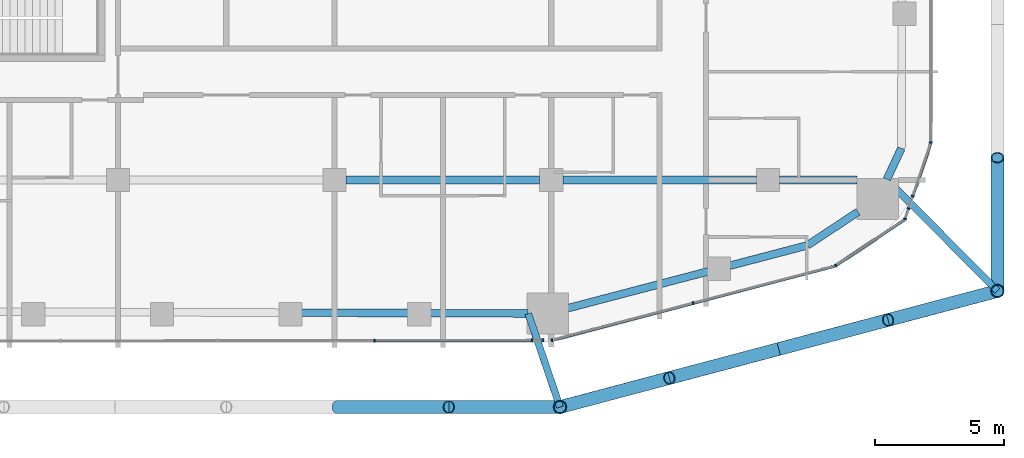
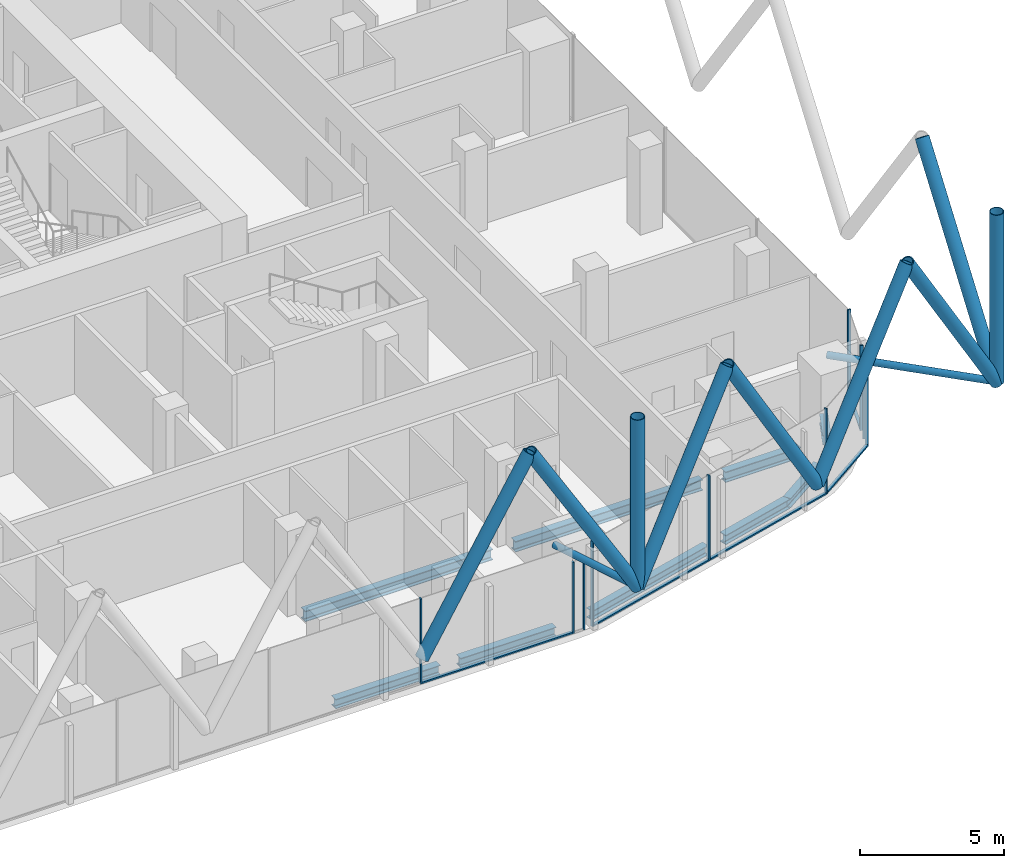
# One storey, part 6 of 33: 26 members, 9 beams, 8 elements without a shape of their own.
"""IFC4 building model written with IfcOpenShell, lengths in metres."""

from ifc_helpers import new_model, si_unit, direction, frame, origin, origin_2d, place, context, subcontext, project, spatial, rectangle, hollow_circle, i_section, extrude, material, layer, layer_set, material_profile, profile_set, type_object, element, aggregate, save


model = new_model("IFC4")

# Units and contexts
model_context = context("Model", 3, precision=1e-05, world=origin(), true_north=direction((0.0, 1.0)))
body_context = subcontext(model_context, "Body", "Model", "MODEL_VIEW")
ifc_project = project(units=[si_unit("LENGTHUNIT", "METRE"), si_unit("AREAUNIT", "SQUARE_METRE"), si_unit("VOLUMEUNIT", "CUBIC_METRE"), si_unit("PLANEANGLEUNIT", "RADIAN"), si_unit("MASSUNIT", "GRAM", prefix="KILO")], contexts=[model_context])

# Site, building, storey
site_placement = place(None, origin())
site = spatial("IfcSite", under=ifc_project, at=site_placement, CompositionType="ELEMENT")
building_placement = place(site_placement, origin())
building = spatial("IfcBuilding", under=site, at=building_placement, Name="Marenta Gate Hotel Tower", CompositionType="ELEMENT")
storey_placement = place(building_placement, frame((0.0, 0.0, 122.89990234375)))
storey = spatial("IfcBuildingStorey", under=building, at=storey_placement, Name="L27", CompositionType="ELEMENT", Elevation=122.89990234375)

# Members
ifc_material_1 = material(Name="Steel S355J2W", Category="steel")
ifc_material_profile_1 = material_profile(ifc_material_1, hollow_circle(Radius=0.25390625, WallThickness=0.02490234375, at=origin_2d()), Name="CHS 508x25")
ifc_profile_set_1 = profile_set([ifc_material_profile_1], Name="Steel S355J2W")
member_type_1 = type_object("IfcMemberType", Name="Diagrid corner post Z2 CHS 508x25", PredefinedType="POST", material=ifc_profile_set_1)
for number, where, z_axis, x_axis, name in (
    (1, (29.89990234375, -21.10009765625, 3.14013671875), (0.0, 0.0, 1.0), (1.0, 0.0, 0.0), "L27-DR-2"),
    (2, (12.93896484375, -25.60009765625, 3.14013671875), (0.0, 0.0, 1.0), (1.0, 0.0, 0.0), "L27-DR-3"),
):
    element("IfcMember", number, at=place(storey_placement, frame(where, z_axis=z_axis, x_axis=x_axis)), inside=storey, type_object=member_type_1, Name=name, PredefinedType="POST", context=body_context, shape_type="SweptSolid", body=[
        extrude(hollow_circle(Radius=0.25390625, WallThickness=0.02490234375, at=origin_2d()), origin(), (0.0, 0.0, 1.0), 7.199951171875),
    ])
ifc_material_2 = material(Name="Steel S355J2W", Category="steel")
ifc_material_profile_2 = material_profile(ifc_material_2, hollow_circle(Radius=0.25390625, WallThickness=0.0400390625, at=origin_2d()), Name="CHS 508x40")
ifc_profile_set_2 = profile_set([ifc_material_profile_2], Name="Steel S355J2W")
member_type_2 = type_object("IfcMemberType", Name="Diagrid diagonal Z2 CHS 508x40", PredefinedType="BRACE", material=ifc_profile_set_2)
member_1_placement = place(storey_placement, frame((29.89990234375, -21.10009765625, 3.14013671875), z_axis=(0.0, 0.583260841117, 0.812284919975), x_axis=(-1.0, 0.0, 0.0)))
element("IfcMember", 3, at=member_1_placement, inside=storey, type_object=member_type_2, Name="L27-DG-10", PredefinedType="BRACE", context=body_context, shape_type="SweptSolid", body=[
    extrude(hollow_circle(Radius=0.25390625, WallThickness=0.0400390625, at=origin_2d()), origin(), (0.0, 0.0, 1.0), 8.86376953125),
])
member_2_placement = place(storey_placement, frame((29.89990234375, -21.10009765625, 3.14013671875), z_axis=(-0.502902385412, -0.133435492139, 0.853981358218), x_axis=(0.256456982503, -0.966555645644, 0.0)))
element("IfcMember", 4, at=member_2_placement, inside=storey, type_object=member_type_2, Name="L27-DG-11", PredefinedType="BRACE", context=body_context, shape_type="SweptSolid", body=[
    extrude(hollow_circle(Radius=0.25390625, WallThickness=0.0400390625, at=origin_2d()), origin(), (0.0, 0.0, 1.0), 8.43115234375),
])
member_3_placement = place(storey_placement, frame((21.41943359375, -23.35009765625, 3.14013671875), z_axis=(0.502945650976, 0.133431605717, 0.853956485285), x_axis=(-0.256429393985, 0.966562965306, 0.0)))
element("IfcMember", 5, at=member_3_placement, inside=storey, type_object=member_type_2, Name="L27-DG-12", PredefinedType="BRACE", context=body_context, shape_type="SweptSolid", body=[
    extrude(hollow_circle(Radius=0.25390625, WallThickness=0.0400390625, at=origin_2d()), origin(), (0.0, 0.0, 1.0), 8.431396484375),
])
for number, where, z_axis, x_axis, name in (
    (6, (21.41943359375, -23.35009765625, 3.14013671875), (-0.502924018666, -0.133433548941, 0.853968921838), (0.256443187528, -0.96655930577, 0.0), "L27-DG-13"),
    (7, (12.93896484375, -25.60009765625, 3.14013671875), (0.502924018666, 0.133433548941, 0.853968921838), (-0.256443187528, 0.96655930577, 0.0), "L27-DG-14"),
):
    element("IfcMember", number, at=place(storey_placement, frame(where, z_axis=z_axis, x_axis=x_axis)), inside=storey, type_object=member_type_2, Name=name, PredefinedType="BRACE", context=body_context, shape_type="SweptSolid", body=[
        extrude(hollow_circle(Radius=0.25390625, WallThickness=0.0400390625, at=origin_2d()), origin(), (0.0, 0.0, 1.0), 8.43115234375),
    ])
for number, where, z_axis, x_axis, name in (
    (8, (12.93896484375, -25.60009765625, 3.14013671875), (-0.513883902774, 0.0, 0.857859740558), (0.0, -1.0, 0.0), "L27-DG-15"),
    (9, (4.31298828125, -25.60009765625, 3.14013671875), (0.513883902774, 0.0, 0.857859740558), (0.0, 1.0, 0.0), "L27-DG-16"),
):
    element("IfcMember", number, at=place(storey_placement, frame(where, z_axis=z_axis, x_axis=x_axis)), inside=storey, type_object=member_type_2, Name=name, PredefinedType="BRACE", context=body_context, shape_type="SweptSolid", body=[
        extrude(hollow_circle(Radius=0.25390625, WallThickness=0.0400390625, at=origin_2d()), origin(), (0.0, 0.0, 1.0), 8.392822265625),
    ])

# Beams
ifc_material_3 = material(Name="Steel S355", Category="steel")
ifc_material_profile_3 = material_profile(ifc_material_3, i_section(OverallWidth=0.300048828125, OverallDepth=0.39990234375, WebThickness=0.013427734375, FlangeThickness=0.02392578125, FilletRadius=0.027099609375, at=origin_2d()), Name="HEB 400")
ifc_profile_set_3 = profile_set([ifc_material_profile_3], Name="Steel S355")
beam_type_1 = type_object("IfcBeamType", Name="Edge beam HEB 400", PredefinedType="SPANDREL", material=ifc_profile_set_3)
beam_1_placement = place(storey_placement, frame((26.175048828125, -15.567138671875, -0.4599609375), z_axis=(-0.423207780269, -0.906032656541, 0.0), x_axis=(0.906032656541, -0.423207780269, 0.0)))
element("IfcBeam", 10, at=beam_1_placement, inside=storey, type_object=beam_type_1, Name="L27-EB-28", PredefinedType="SPANDREL", context=body_context, shape_type="SweptSolid", body=[
    extrude(i_section(OverallWidth=0.300048828125, OverallDepth=0.39990234375, WebThickness=0.013427734375, FlangeThickness=0.02392578125, FilletRadius=0.027099609375, at=origin_2d()), origin(), (0.0, 0.0, 1.0), 1.326904296875),
])
beam_2_placement = place(storey_placement, frame((24.496337890625, -18.0322265625, -0.4599609375), z_axis=(-0.834496060599, -0.551013906217, 0.0), x_axis=(0.551013906217, -0.834496060599, 0.0)))
element("IfcBeam", 11, at=beam_2_placement, inside=storey, type_object=beam_type_1, Name="L27-EB-29", PredefinedType="SPANDREL", context=body_context, shape_type="SweptSolid", body=[
    extrude(i_section(OverallWidth=0.300048828125, OverallDepth=0.39990234375, WebThickness=0.013427734375, FlangeThickness=0.02392578125, FilletRadius=0.027099609375, at=origin_2d()), origin(), (0.0, 0.0, 1.0), 2.357177734375),
])
beam_3_placement = place(storey_placement, frame((22.529296875, -19.3310546875, -0.4599609375), z_axis=(-0.967224706208, -0.25392197168, 0.0), x_axis=(0.25392197168, -0.967224706208, 0.0)))
element("IfcBeam", 12, at=beam_3_placement, inside=storey, type_object=beam_type_1, Name="L27-EB-30", PredefinedType="SPANDREL", context=body_context, shape_type="SweptSolid", body=[
    extrude(i_section(OverallWidth=0.300048828125, OverallDepth=0.39990234375, WebThickness=0.013427734375, FlangeThickness=0.02392578125, FilletRadius=0.027099609375, at=origin_2d()), origin(), (0.0, 0.0, 1.0), 3.11328125),
])
beam_4_placement = place(storey_placement, frame((18.695556640625, -20.33740234375, -0.4599609375), z_axis=(-0.96723321901, -0.253889542999, 0.0), x_axis=(0.253889542999, -0.96723321901, 0.0)))
element("IfcBeam", 13, at=beam_4_placement, inside=storey, type_object=beam_type_1, Name="L27-EB-31", PredefinedType="SPANDREL", context=body_context, shape_type="SweptSolid", body=[
    extrude(i_section(OverallWidth=0.300048828125, OverallDepth=0.39990234375, WebThickness=0.013427734375, FlangeThickness=0.02392578125, FilletRadius=0.027099609375, at=origin_2d()), origin(), (0.0, 0.0, 1.0), 5.6533203125),
])
beam_5_placement = place(storey_placement, frame((11.706298828125, -21.97021484375, -0.4599609375), z_axis=(-0.999994883969, 0.003198755307, 0.0), x_axis=(-0.003198755307, -0.999994883969, 0.0)))
element("IfcBeam", 14, at=beam_5_placement, inside=storey, type_object=beam_type_1, Name="L27-EB-32", PredefinedType="SPANDREL", context=body_context, shape_type="SweptSolid", body=[
    extrude(i_section(OverallWidth=0.300048828125, OverallDepth=0.39990234375, WebThickness=0.013427734375, FlangeThickness=0.02392578125, FilletRadius=0.027099609375, at=origin_2d()), origin(), (0.0, 0.0, 1.0), 3.816162109375),
])
beam_6_placement = place(storey_placement, frame((7.070068359375, -21.955322265625, -0.4599609375), z_axis=(-0.999994807487, 0.003222576575, 0.0), x_axis=(-0.003222576575, -0.999994807487, 0.0)))
element("IfcBeam", 15, at=beam_6_placement, inside=storey, type_object=beam_type_1, Name="L27-EB-33", PredefinedType="SPANDREL", context=body_context, shape_type="SweptSolid", body=[
    extrude(i_section(OverallWidth=0.300048828125, OverallDepth=0.39990234375, WebThickness=0.013427734375, FlangeThickness=0.02392578125, FilletRadius=0.027099609375, at=origin_2d()), origin(), (0.0, 0.0, 1.0), 4.166748046875),
])

# Members
ifc_material_4 = material(Name="Steel S355J2W", Category="steel")
ifc_material_profile_4 = material_profile(ifc_material_4, hollow_circle(Radius=0.136474609375, WallThickness=0.012451171875, at=origin_2d()), Name="CHS 273x12.5")
ifc_profile_set_4 = profile_set([ifc_material_profile_4], Name="Steel S355J2W")
member_type_3 = type_object("IfcMemberType", Name="Floor tie CHS 273x12.5", PredefinedType="STRUT", material=ifc_profile_set_4)
member_4_placement = place(storey_placement, frame((29.89990234375, -21.10009765625, 3.14013671875), z_axis=(-0.703467207322, 0.710727717359, 0.0), x_axis=(-0.710727717359, -0.703467207322, 0.0)))
element("IfcMember", 16, at=member_4_placement, inside=storey, type_object=member_type_3, Name="L27-DR-8", PredefinedType="STRUT", context=body_context, shape_type="SweptSolid", body=[
    extrude(hollow_circle(Radius=0.136474609375, WallThickness=0.012451171875, at=origin_2d()), origin(), (0.0, 0.0, 1.0), 6.086181640625),
])
member_5_placement = place(storey_placement, frame((12.93896484375, -25.60009765625, 3.14013671875), z_axis=(-0.321582426358, 0.94688158872, 0.0), x_axis=(-0.94688158872, -0.321582426358, 0.0)))
element("IfcMember", 17, at=member_5_placement, inside=storey, type_object=member_type_3, Name="L27-DR-9", PredefinedType="STRUT", context=body_context, shape_type="SweptSolid", body=[
    extrude(hollow_circle(Radius=0.136474609375, WallThickness=0.012451171875, at=origin_2d()), origin(), (0.0, 0.0, 1.0), 3.826171875),
])

# Beams
ifc_material_5 = material(Name="Steel S355", Category="steel")
ifc_material_profile_5 = material_profile(ifc_material_5, i_section(OverallWidth=0.300048828125, OverallDepth=0.449951171875, WebThickness=0.013916015625, FlangeThickness=0.02587890625, FilletRadius=0.027099609375, at=origin_2d()), Name="HEB 450")
ifc_profile_set_5 = profile_set([ifc_material_profile_5], Name="Steel S355")
beam_type_2 = type_object("IfcBeamType", Name="Girder HEB 450", PredefinedType="BEAM", material=ifc_profile_set_5)
for number, where, z_axis, x_axis, name in (
    (18, (4.64990234375, -16.800048828125, -0.48486328125), (1.0, 0.0, 0.0), (0.0, 1.0, 0.0), "L27-GD-5"),
    (19, (13.050048828125, -16.800048828125, -0.48486328125), (1.0, 0.0, 0.0), (0.0, 1.0, 0.0), "L27-GD-6"),
):
    element("IfcBeam", number, at=place(storey_placement, frame(where, z_axis=z_axis, x_axis=x_axis)), inside=storey, type_object=beam_type_2, Name=name, PredefinedType="BEAM", context=body_context, shape_type="SweptSolid", body=[
        extrude(i_section(OverallWidth=0.300048828125, OverallDepth=0.449951171875, WebThickness=0.013916015625, FlangeThickness=0.02587890625, FilletRadius=0.027099609375, at=origin_2d()), origin(), (0.0, 0.0, 1.0), 7.5),
    ])
beam_7_placement = place(storey_placement, frame((21.449951171875, -16.800048828125, -0.48486328125), z_axis=(1.0, 0.0, 0.0), x_axis=(0.0, 1.0, 0.0)))
element("IfcBeam", 20, at=beam_7_placement, inside=storey, type_object=beam_type_2, Name="L27-GD-7", PredefinedType="BEAM", context=body_context, shape_type="SweptSolid", body=[
    extrude(i_section(OverallWidth=0.300048828125, OverallDepth=0.449951171875, WebThickness=0.013916015625, FlangeThickness=0.02587890625, FilletRadius=0.027099609375, at=origin_2d()), origin(), (0.0, 0.0, 1.0), 3.012939453125),
])

# Curtain wall, member
ifc_material_6 = material(Name="Tinted insulated glass in bronze anodised frame", Category="glass")
ifc_layer = layer(ifc_material_6, 0.1201171875)
ifc_layer_set = layer_set([ifc_layer], Name="Tinted insulated glass in bronze anodised frame")
curtain_wall_type = type_object("IfcCurtainWallType", Name="Tower unitised curtain wall CW1", PredefinedType="NOTDEFINED", material=ifc_layer_set)
curtain_wall_1_placement = place(storey_placement, origin())
curtain_wall_1 = element("IfcCurtainWall", 21, at=curtain_wall_1_placement, inside=storey, type_object=curtain_wall_type, Name="CW1 run G12", PredefinedType="NOTDEFINED")
ifc_material_7 = material(Name="Bronze anodised aluminium", Category="aluminium")
ifc_material_profile_6 = material_profile(ifc_material_7, rectangle(XDim=0.1201171875, YDim=0.06005859375, at=origin_2d()), Name="Mullion CW1 60x120 bronze anodised aluminium")
ifc_profile_set_6 = profile_set([ifc_material_profile_6], Name="Bronze anodised aluminium")
member_type_4 = type_object("IfcMemberType", Name="Mullion CW1 60x120 bronze anodised aluminium", PredefinedType="MULLION", material=ifc_profile_set_6)
member_6_placement = place(storey_placement, frame((5.73974609375, -23.022705078125, 0.0), z_axis=(0.0, 0.0, 1.0), x_axis=(-0.00136470383, 0.999999068791, 0.0)))
member_6 = element("IfcMember", 22, at=member_6_placement, type_object=member_type_4, Name="CW1 mullion 4", PredefinedType="MULLION", context=body_context, shape_type="SweptSolid", body=[
    extrude(rectangle(XDim=0.1201171875, YDim=0.06005859375, at=origin_2d()), origin(), (0.0, 0.0, 1.0), 3.60009765625),
])

# Curtain wall, members
curtain_wall_2_placement = place(storey_placement, origin())
curtain_wall_2 = element("IfcCurtainWall", 23, at=curtain_wall_2_placement, inside=storey, type_object=curtain_wall_type, Name="CW1 run G13", PredefinedType="NOTDEFINED")
member_7_placement = place(storey_placement, frame((11.851806640625, -23.01416015625, 0.0), z_axis=(0.0, 0.0, 1.0), x_axis=(-0.001254704164, 0.999999212858, 0.0)))
member_7 = element("IfcMember", 24, at=member_7_placement, type_object=member_type_4, Name="CW1 mullion 1", PredefinedType="MULLION", context=body_context, shape_type="SweptSolid", body=[
    extrude(rectangle(XDim=0.1201171875, YDim=0.06005859375, at=origin_2d()), origin(), (0.0, 0.0, 1.0), 3.00048828125),
])
member_8_placement = place(storey_placement, frame((12.27001953125, -23.013671875, 0.0), z_axis=(0.0, 0.0, 1.0), x_axis=(-0.001254704164, 0.999999212858, 0.0)))
member_8 = element("IfcMember", 25, at=member_8_placement, type_object=member_type_4, Name="CW1 mullion 2", PredefinedType="MULLION", context=body_context, shape_type="SweptSolid", body=[
    extrude(rectangle(XDim=0.1201171875, YDim=0.06005859375, at=origin_2d()), origin(), (0.0, 0.0, 1.0), 3.00048828125),
])
aggregate(curtain_wall_2, [member_7, member_8])

curtain_wall_3_placement = place(storey_placement, origin())
curtain_wall_3 = element("IfcCurtainWall", 26, at=curtain_wall_3_placement, inside=storey, type_object=curtain_wall_type, Name="CW1 run G14", PredefinedType="NOTDEFINED")
member_9_placement = place(storey_placement, frame((12.626708984375, -23.005615234375, 0.0), z_axis=(0.0, 0.0, 1.0), x_axis=(-0.253374270473, 0.967368326473, 0.0)))
member_9 = element("IfcMember", 27, at=member_9_placement, type_object=member_type_4, Name="CW1 mullion 1", PredefinedType="MULLION", context=body_context, shape_type="SweptSolid", body=[
    extrude(rectangle(XDim=0.1201171875, YDim=0.06005859375, at=origin_2d()), origin(), (0.0, 0.0, 1.0), 3.60009765625),
])
member_10_placement = place(storey_placement, frame((18.102783203125, -21.571533203125, 0.0), z_axis=(0.0, 0.0, 1.0), x_axis=(-0.253374270473, 0.967368326473, 0.0)))
member_10 = element("IfcMember", 28, at=member_10_placement, type_object=member_type_4, Name="CW1 mullion 2", PredefinedType="MULLION", context=body_context, shape_type="SweptSolid", body=[
    extrude(rectangle(XDim=0.1201171875, YDim=0.06005859375, at=origin_2d()), origin(), (0.0, 0.0, 1.0), 3.60009765625),
])

# Curtain wall, member
curtain_wall_4_placement = place(storey_placement, origin())
curtain_wall_4 = element("IfcCurtainWall", 29, at=curtain_wall_4_placement, inside=storey, type_object=curtain_wall_type, Name="CW1 run G15", PredefinedType="NOTDEFINED")
member_11_placement = place(storey_placement, frame((23.632568359375, -20.113037109375, 0.0), z_axis=(0.0, 0.0, 1.0), x_axis=(-0.554016243423, 0.832505857051, 0.0)))
member_11 = element("IfcMember", 30, at=member_11_placement, type_object=member_type_4, Name="CW1 mullion 1", PredefinedType="MULLION", context=body_context, shape_type="SweptSolid", body=[
    extrude(rectangle(XDim=0.1201171875, YDim=0.06005859375, at=origin_2d()), origin(), (0.0, 0.0, 1.0), 3.60009765625),
])

curtain_wall_5_placement = place(storey_placement, origin())
curtain_wall_5 = element("IfcCurtainWall", 31, at=curtain_wall_5_placement, inside=storey, type_object=curtain_wall_type, Name="CW1 run G16", PredefinedType="NOTDEFINED")
member_12_placement = place(storey_placement, frame((26.314453125, -18.30615234375, 0.0), z_axis=(0.0, 0.0, 1.0), x_axis=(-0.946727185016, 0.322036701561, 0.0)))
member_12 = element("IfcMember", 32, at=member_12_placement, type_object=member_type_4, Name="CW1 mullion 1", PredefinedType="MULLION", context=body_context, shape_type="SweptSolid", body=[
    extrude(rectangle(XDim=0.1201171875, YDim=0.06005859375, at=origin_2d()), origin(), (0.0, 0.0, 1.0), 3.60009765625),
])
aggregate(curtain_wall_5, [member_12])

curtain_wall_6_placement = place(storey_placement, origin())
curtain_wall_6 = element("IfcCurtainWall", 33, at=curtain_wall_6_placement, inside=storey, type_object=curtain_wall_type, Name="CW1 run G17", PredefinedType="NOTDEFINED")
member_13_placement = place(storey_placement, frame((26.452392578125, -17.90087890625, 0.0), z_axis=(0.0, 0.0, 1.0), x_axis=(-0.946729383953, 0.322030237029, 0.0)))
member_13 = element("IfcMember", 34, at=member_13_placement, type_object=member_type_4, Name="CW1 mullion 1", PredefinedType="MULLION", context=body_context, shape_type="SweptSolid", body=[
    extrude(rectangle(XDim=0.1201171875, YDim=0.06005859375, at=origin_2d()), origin(), (0.0, 0.0, 1.0), 3.00048828125),
])
aggregate(curtain_wall_6, [member_13])

curtain_wall_7_placement = place(storey_placement, origin())
curtain_wall_7 = element("IfcCurtainWall", 35, at=curtain_wall_7_placement, inside=storey, type_object=curtain_wall_type, Name="CW1 run G18", PredefinedType="NOTDEFINED")
member_14_placement = place(storey_placement, frame((26.615478515625, -17.421630859375, 0.0), z_axis=(0.0, 0.0, 1.0), x_axis=(-0.946728388751, 0.322033162785, 0.0)))
member_14 = element("IfcMember", 36, at=member_14_placement, type_object=member_type_4, Name="CW1 mullion 1", PredefinedType="MULLION", context=body_context, shape_type="SweptSolid", body=[
    extrude(rectangle(XDim=0.1201171875, YDim=0.06005859375, at=origin_2d()), origin(), (0.0, 0.0, 1.0), 3.60009765625),
])

curtain_wall_8_placement = place(storey_placement, origin())
curtain_wall_8 = element("IfcCurtainWall", 37, at=curtain_wall_8_placement, inside=storey, type_object=curtain_wall_type, Name="CW1 run G19", PredefinedType="NOTDEFINED")
member_15_placement = place(storey_placement, frame((27.31396484375, -15.337890625, 0.0), z_axis=(0.0, 0.0, 1.0), x_axis=(-1.0, 0.0, 0.0)))
member_15 = element("IfcMember", 38, at=member_15_placement, type_object=member_type_4, Name="CW1 mullion 1", PredefinedType="MULLION", context=body_context, shape_type="SweptSolid", body=[
    extrude(rectangle(XDim=0.1201171875, YDim=0.06005859375, at=origin_2d()), origin(), (0.0, 0.0, 1.0), 3.60009765625),
])
aggregate(curtain_wall_8, [member_15])

# Member
ifc_material_8 = material(Name="Bronze anodised aluminium", Category="aluminium")
ifc_material_profile_7 = material_profile(ifc_material_8, rectangle(XDim=0.1201171875, YDim=0.06005859375, at=origin_2d()), Name="Transom CW1 60x120 bronze anodised aluminium")
ifc_profile_set_7 = profile_set([ifc_material_profile_7], Name="Bronze anodised aluminium")
member_type_5 = type_object("IfcMemberType", Name="Transom CW1 60x120 bronze anodised aluminium", PredefinedType="USERDEFINED", material=ifc_profile_set_7)
member_16_placement = place(storey_placement, frame((5.769775390625, -23.0224609375, 0.030029296875), z_axis=(0.999999113907, 0.001331234449, 0.0), x_axis=(-0.001331234449, 0.999999113907, 0.0)))
member_16 = element("IfcMember", 39, at=member_16_placement, type_object=member_type_5, Name="CW1 transom 4.1", ObjectType="TRANSOM", PredefinedType="USERDEFINED", context=body_context, shape_type="SweptSolid", body=[
    extrude(rectangle(XDim=0.1201171875, YDim=0.06005859375, at=origin_2d()), origin(), (0.0, 0.0, 1.0), 6.052001953125),
])

aggregate(curtain_wall_1, [member_6, member_16])

member_17_placement = place(storey_placement, frame((12.65576171875, -22.998046875, 0.030029296875), z_axis=(0.967374258372, 0.25335162174, 0.0), x_axis=(-0.25335162174, 0.967374258372, 0.0)))
member_17 = element("IfcMember", 40, at=member_17_placement, type_object=member_type_5, Name="CW1 transom 1.1", ObjectType="TRANSOM", PredefinedType="USERDEFINED", context=body_context, shape_type="SweptSolid", body=[
    extrude(rectangle(XDim=0.1201171875, YDim=0.06005859375, at=origin_2d()), origin(), (0.0, 0.0, 1.0), 5.6005859375),
])

member_18_placement = place(storey_placement, frame((18.1318359375, -21.56396484375, 0.030029296875), z_axis=(0.967364420611, 0.253389182357, 0.0), x_axis=(-0.253389182357, 0.967364420611, 0.0)))
member_18 = element("IfcMember", 41, at=member_18_placement, type_object=member_type_5, Name="CW1 transom 2.1", ObjectType="TRANSOM", PredefinedType="USERDEFINED", context=body_context, shape_type="SweptSolid", body=[
    extrude(rectangle(XDim=0.1201171875, YDim=0.06005859375, at=origin_2d()), origin(), (0.0, 0.0, 1.0), 5.66064453125),
])

aggregate(curtain_wall_3, [member_9, member_10, member_17, member_18])

member_19_placement = place(storey_placement, frame((23.657470703125, -20.096435546875, 0.030029296875), z_axis=(0.832522439521, 0.553991324565, 0.0), x_axis=(-0.553991324565, 0.832522439521, 0.0)))
member_19 = element("IfcMember", 42, at=member_19_placement, type_object=member_type_5, Name="CW1 transom 1.1", ObjectType="TRANSOM", PredefinedType="USERDEFINED", context=body_context, shape_type="SweptSolid", body=[
    extrude(rectangle(XDim=0.1201171875, YDim=0.06005859375, at=origin_2d()), origin(), (0.0, 0.0, 1.0), 3.179931640625),
])

aggregate(curtain_wall_4, [member_11, member_19])

member_20_placement = place(storey_placement, frame((26.625, -17.393310546875, 0.030029296875), z_axis=(0.322041848526, 0.94672543422, 0.0), x_axis=(-0.94672543422, 0.322041848526, 0.0)))
member_20 = element("IfcMember", 43, at=member_20_placement, type_object=member_type_5, Name="CW1 transom 1.1", ObjectType="TRANSOM", PredefinedType="USERDEFINED", context=body_context, shape_type="SweptSolid", body=[
    extrude(rectangle(XDim=0.1201171875, YDim=0.06005859375, at=origin_2d()), origin(), (0.0, 0.0, 1.0), 2.139404296875),
])

aggregate(curtain_wall_7, [member_14, member_20])

save(model, "model.ifc")
